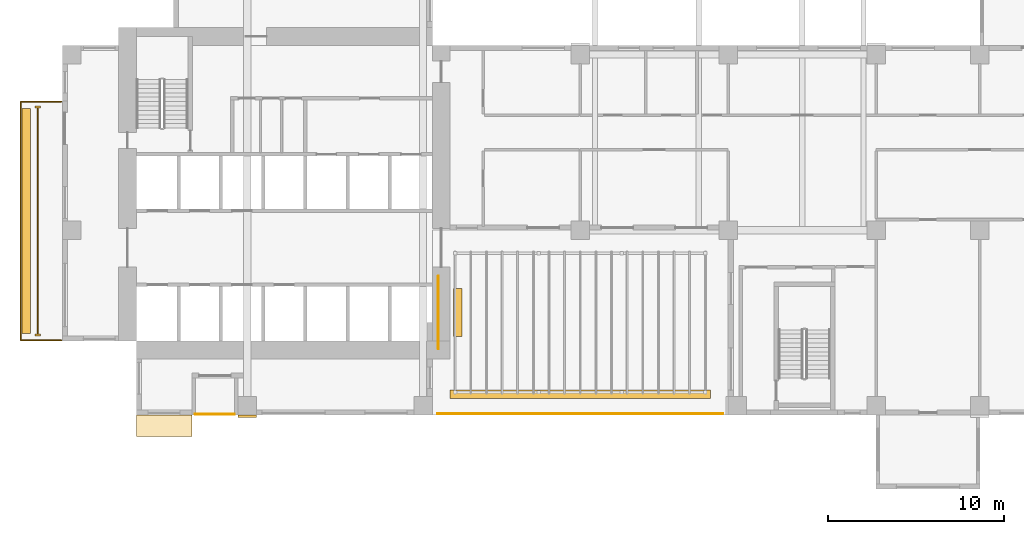
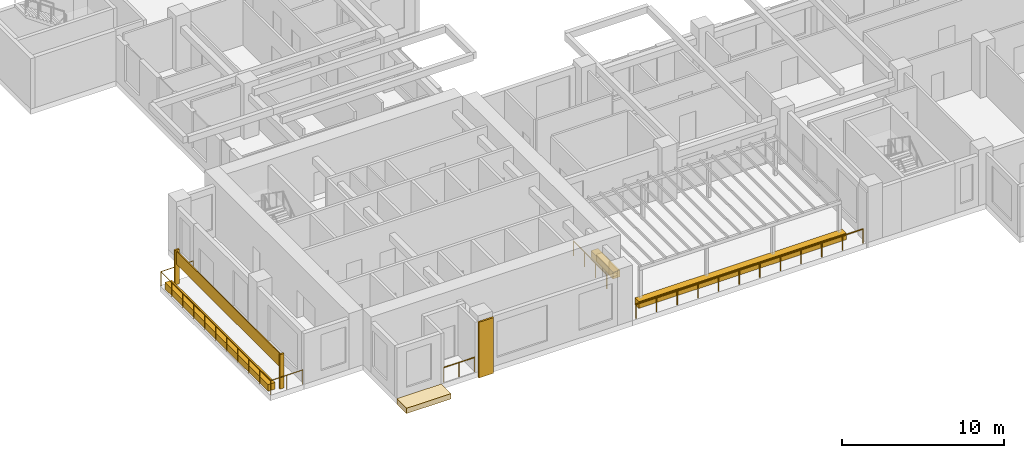
# One storey, part 11 of 15: 8 coverings, 4 railings.
"""IFC4 building model written with IfcOpenShell, lengths in metres."""

from ifc_helpers import new_model, si_unit, direction, frame, origin, origin_2d, place, context, subcontext, project, spatial, polyline, rectangle, circle, outline, extrude, source, transform, mapped, material, type_object, element, save


model = new_model("IFC4")

# Units and contexts
model_context = context("Model", 3, precision=1e-05, world=origin(), true_north=direction((0.0, 1.0)))
body_context = subcontext(model_context, "Body", "Model", "MODEL_VIEW")
ifc_project = project(units=[si_unit("LENGTHUNIT", "METRE"), si_unit("AREAUNIT", "SQUARE_METRE"), si_unit("VOLUMEUNIT", "CUBIC_METRE"), si_unit("PLANEANGLEUNIT", "RADIAN"), si_unit("MASSUNIT", "GRAM", prefix="KILO")], contexts=[model_context])

# Site, building, storey
site_placement = place(None, origin())
site = spatial("IfcSite", under=ifc_project, at=site_placement, CompositionType="ELEMENT")
building_placement = place(site_placement, origin())
building = spatial("IfcBuilding", under=site, at=building_placement, Name="Aurelian Terraces", CompositionType="ELEMENT")
storey_placement = place(building_placement, frame((0.0, 0.0, 145.5)))
storey = spatial("IfcBuildingStorey", under=building, at=storey_placement, Name="L32", CompositionType="ELEMENT", Elevation=145.5)

# Coverings
ifc_material_1 = material(Name="Terracotta rainscreen cladding relief", Category="masonry")
covering_type_1 = type_object("IfcCoveringType", Name="FIN-TC", PredefinedType="CLADDING", material=ifc_material_1)
shared_shape_1 = source(origin(), body_context, "Body", "SweptSolid", [
    extrude(rectangle(XDim=0.3, YDim=0.12, at=origin_2d()), origin(), (0.0, 0.0, 1.0), 2.6),
])
for number, where, z_axis, x_axis, name in (
    (1, (-1.4, 17.5, 0.0), (0.0, 0.0, 1.0), (1.0, 0.0, 0.0), "FIN L32 L32-F24-41.1"),
    (2, (-1.4, 4.55, 0.0), (0.0, 0.0, 1.0), (1.0, 0.0, 0.0), "FIN L32 L32-F24-41.2"),
):
    element("IfcCovering", number, at=place(storey_placement, frame(where, z_axis=z_axis, x_axis=x_axis)), inside=storey, type_object=covering_type_1, Name=name, PredefinedType="CLADDING", context=body_context, shape_type="MappedRepresentation", body=[
        mapped(shared_shape_1, transform((0.0, 0.0, 0.0), scale=1.0)),
    ])

# Railing
ifc_material_2 = material(Name="Anodised aluminium", Category="aluminium")
railing_type = type_object("IfcRailingType", Name="GUARD-1100", PredefinedType="GUARDRAIL", material=ifc_material_2)
shared_shape_2 = source(origin(), body_context, "Body", "SweptSolid", [
    extrude(circle(Radius=0.024, at=origin_2d()), frame((0.0, 0.0, 1.076), z_axis=(-1.0, 0.0, 0.0), x_axis=(0.0, -1.0, 0.0)), (0.0, 0.0, 1.0), 16.2),
    extrude(circle(Radius=0.021, at=origin_2d()), origin(), (0.0, 0.0, 1.0), 1.052),
    extrude(circle(Radius=0.021, at=origin_2d()), frame((-1.4727, 0.0, 0.0)), (0.0, 0.0, 1.0), 1.052),
    extrude(circle(Radius=0.021, at=origin_2d()), frame((-2.9455, 0.0, 0.0)), (0.0, 0.0, 1.0), 1.052),
    extrude(circle(Radius=0.021, at=origin_2d()), frame((-4.4182, 0.0, 0.0)), (0.0, 0.0, 1.0), 1.052),
    extrude(circle(Radius=0.021, at=origin_2d()), frame((-5.8909, 0.0, 0.0)), (0.0, 0.0, 1.0), 1.052),
    extrude(circle(Radius=0.021, at=origin_2d()), frame((-7.3636, 0.0, 0.0)), (0.0, 0.0, 1.0), 1.052),
    extrude(circle(Radius=0.021, at=origin_2d()), frame((-8.8364, 0.0, 0.0)), (0.0, 0.0, 1.0), 1.052),
    extrude(circle(Radius=0.021, at=origin_2d()), frame((-10.3091, 0.0, 0.0)), (0.0, 0.0, 1.0), 1.052),
    extrude(circle(Radius=0.021, at=origin_2d()), frame((-11.7818, 0.0, 0.0)), (0.0, 0.0, 1.0), 1.052),
    extrude(circle(Radius=0.021, at=origin_2d()), frame((-13.2545, 0.0, 0.0)), (0.0, 0.0, 1.0), 1.052),
    extrude(circle(Radius=0.021, at=origin_2d()), frame((-14.7273, 0.0, 0.0)), (0.0, 0.0, 1.0), 1.052),
    extrude(circle(Radius=0.021, at=origin_2d()), frame((-16.2, 0.0, 0.0)), (0.0, 0.0, 1.0), 1.052),
])
railing_1_placement = place(storey_placement, frame((37.5, 0.09, 0.0)))
element("IfcRailing", 3, at=railing_1_placement, inside=storey, type_object=railing_type, Name="Terrace guard L32 SKY-05-T1.1", PredefinedType="GUARDRAIL", context=body_context, shape_type="MappedRepresentation", body=[
    mapped(shared_shape_2, transform((0.0, 0.0, 0.0), scale=1.0)),
])

# Covering
ifc_material_3 = material(Name="Terracotta planter with planting soil", Category="masonry")
covering_type_2 = type_object("IfcCoveringType", Name="PLANTER-TROUGH", PredefinedType="USERDEFINED", material=ifc_material_3)
shared_shape_3 = source(origin(), body_context, "Body", "SweptSolid", [
    extrude(rectangle(XDim=14.8, YDim=0.5, at=origin_2d()), origin(), (0.0, 0.0, 1.0), 0.5),
])
covering_1_placement = place(storey_placement, frame((29.4, 1.19, 0.0), z_axis=(0.0, 0.0, 1.0), x_axis=(1.0, 0.0, 0.0)))
element("IfcCovering", 4, at=covering_1_placement, inside=storey, type_object=covering_type_2, Name="PLANTER L32 terrace SKY-05-T1-0.1", ObjectType="PLANTER", PredefinedType="USERDEFINED", context=body_context, shape_type="MappedRepresentation", body=[
    mapped(shared_shape_3, transform((0.0, 0.0, 0.0), scale=1.0)),
])

# Railing
shared_shape_4 = source(origin(), body_context, "Body", "SweptSolid", [
    extrude(circle(Radius=0.024, at=origin_2d()), frame((0.0, 0.0, 1.076), z_axis=(0.0, 1.0, 0.0), x_axis=(-1.0, 0.0, 0.0)), (0.0, 0.0, 1.0), 4.1242),
    extrude(circle(Radius=0.021, at=origin_2d()), origin(), (0.0, 0.0, 1.0), 1.052),
    extrude(circle(Radius=0.021, at=origin_2d()), frame((0.0, 1.3747, 0.0)), (0.0, 0.0, 1.0), 1.052),
    extrude(circle(Radius=0.021, at=origin_2d()), frame((0.0, 2.7495, 0.0)), (0.0, 0.0, 1.0), 1.052),
    extrude(circle(Radius=0.021, at=origin_2d()), frame((0.0, 4.1242, 0.0)), (0.0, 0.0, 1.0), 1.052),
])
railing_2_placement = place(storey_placement, frame((21.35, 3.7758, 0.0)))
element("IfcRailing", 5, at=railing_2_placement, inside=storey, type_object=railing_type, Name="Terrace guard L32 SKY-05-T1.2", PredefinedType="GUARDRAIL", context=body_context, shape_type="MappedRepresentation", body=[
    mapped(shared_shape_4, transform((0.0, 0.0, 0.0), scale=1.0)),
])

# Covering
shared_shape_5 = source(origin(), body_context, "Body", "SweptSolid", [
    extrude(rectangle(XDim=0.5, YDim=2.7242, at=origin_2d()), origin(), (0.0, 0.0, 1.0), 0.5),
])
covering_2_placement = place(storey_placement, frame((22.45, 5.8379, 0.0), z_axis=(0.0, 0.0, 1.0), x_axis=(1.0, 0.0, 0.0)))
element("IfcCovering", 6, at=covering_2_placement, inside=storey, type_object=covering_type_2, Name="PLANTER L32 terrace SKY-05-T1-1.1", ObjectType="PLANTER", PredefinedType="USERDEFINED", context=body_context, shape_type="MappedRepresentation", body=[
    mapped(shared_shape_5, transform((0.0, 0.0, 0.0), scale=1.0)),
])

# Railing
shared_shape_6 = source(origin(), body_context, "Body", "SweptSolid", [
    extrude(circle(Radius=0.024, at=origin_2d()), frame((0.0, 0.0, 1.076), z_axis=(-1.0, 0.0, 0.0), x_axis=(0.0, -1.0, 0.0)), (0.0, 0.0, 1.0), 2.3),
    extrude(circle(Radius=0.024, at=origin_2d()), frame((-2.3, 0.0, 1.076), z_axis=(0.0, -1.0, 0.0), x_axis=(1.0, 0.0, 0.0)), (0.0, 0.0, 1.0), 13.55),
    extrude(circle(Radius=0.024, at=origin_2d()), frame((-2.3, -13.55, 1.076), z_axis=(1.0, 0.0, 0.0), x_axis=(0.0, 1.0, 0.0)), (0.0, 0.0, 1.0), 2.3),
    extrude(circle(Radius=0.021, at=origin_2d()), origin(), (0.0, 0.0, 1.0), 1.052),
    extrude(circle(Radius=0.021, at=origin_2d()), frame((-1.15, 0.0, 0.0)), (0.0, 0.0, 1.0), 1.052),
    extrude(circle(Radius=0.021, at=origin_2d()), frame((-2.3, 0.0, 0.0)), (0.0, 0.0, 1.0), 1.052),
    extrude(circle(Radius=0.021, at=origin_2d()), frame((-2.3, -1.355, 0.0)), (0.0, 0.0, 1.0), 1.052),
    extrude(circle(Radius=0.021, at=origin_2d()), frame((-2.3, -2.71, 0.0)), (0.0, 0.0, 1.0), 1.052),
    extrude(circle(Radius=0.021, at=origin_2d()), frame((-2.3, -4.065, 0.0)), (0.0, 0.0, 1.0), 1.052),
    extrude(circle(Radius=0.021, at=origin_2d()), frame((-2.3, -5.42, 0.0)), (0.0, 0.0, 1.0), 1.052),
    extrude(circle(Radius=0.021, at=origin_2d()), frame((-2.3, -6.775, 0.0)), (0.0, 0.0, 1.0), 1.052),
    extrude(circle(Radius=0.021, at=origin_2d()), frame((-2.3, -8.13, 0.0)), (0.0, 0.0, 1.0), 1.052),
    extrude(circle(Radius=0.021, at=origin_2d()), frame((-2.3, -9.485, 0.0)), (0.0, 0.0, 1.0), 1.052),
    extrude(circle(Radius=0.021, at=origin_2d()), frame((-2.3, -10.84, 0.0)), (0.0, 0.0, 1.0), 1.052),
    extrude(circle(Radius=0.021, at=origin_2d()), frame((-2.3, -12.195, 0.0)), (0.0, 0.0, 1.0), 1.052),
    extrude(circle(Radius=0.021, at=origin_2d()), frame((-2.3, -13.55, 0.0)), (0.0, 0.0, 1.0), 1.052),
    extrude(circle(Radius=0.021, at=origin_2d()), frame((-1.15, -13.55, 0.0)), (0.0, 0.0, 1.0), 1.052),
    extrude(circle(Radius=0.021, at=origin_2d()), frame((0.0, -13.55, 0.0)), (0.0, 0.0, 1.0), 1.052),
])
railing_3_placement = place(storey_placement, frame((-0.05, 17.8, 0.0)))
element("IfcRailing", 7, at=railing_3_placement, inside=storey, type_object=railing_type, Name="Balcony guard L32 F24.41", PredefinedType="GUARDRAIL", context=body_context, shape_type="MappedRepresentation", body=[
    mapped(shared_shape_6, transform((0.0, 0.0, 0.0), scale=1.0)),
])

# Coverings
shared_shape_7 = source(origin(), body_context, "Body", "SweptSolid", [
    extrude(rectangle(XDim=0.5, YDim=12.75, at=origin_2d()), origin(), (0.0, 0.0, 1.0), 0.5),
])
covering_3_placement = place(storey_placement, frame((-2.05, 11.025, 0.0), z_axis=(0.0, 0.0, 1.0), x_axis=(1.0, 0.0, 0.0)))
element("IfcCovering", 8, at=covering_3_placement, inside=storey, type_object=covering_type_2, Name="PLANTER L32 L32-F24-41", ObjectType="PLANTER", PredefinedType="USERDEFINED", context=body_context, shape_type="MappedRepresentation", body=[
    mapped(shared_shape_7, transform((0.0, 0.0, 0.0), scale=1.0)),
])
ifc_material_4 = material(Name="Terracotta rainscreen cladding", Category="masonry")
covering_type_3 = type_object("IfcCoveringType", Name="SCREEN-TC", PredefinedType="CLADDING", material=ifc_material_4)
shared_shape_8 = source(origin(), body_context, "Body", "SweptSolid", [
    extrude(rectangle(XDim=0.06, YDim=12.83, at=origin_2d()), origin(), (0.0, 0.0, 1.0), 1.0),
])
covering_4_placement = place(storey_placement, frame((-1.4, 11.025, 1.5), z_axis=(0.0, 0.0, 1.0), x_axis=(1.0, 0.0, 0.0)))
element("IfcCovering", 9, at=covering_4_placement, inside=storey, type_object=covering_type_3, Name="SCREEN L32 L32-F24-41", PredefinedType="CLADDING", context=body_context, shape_type="MappedRepresentation", body=[
    mapped(shared_shape_8, transform((0.0, 0.0, 0.0), scale=1.0)),
])
ifc_material_5 = material(Name="Terracotta roof tiles on membrane", Category="masonry")
covering_type_4 = type_object("IfcCoveringType", Name="Bay roof cover", PredefinedType="ROOFING", material=ifc_material_5)
shared_shape_9 = source(origin(), body_context, "Body", "SweptSolid", [
    extrude(outline(polyline([(4.2, 0.0), (7.35, 0.0), (7.35, -1.2), (4.2, -1.2), (4.2, 0.0)])), origin(), (0.0, 0.0, 1.0), 0.4),
])
covering_5_placement = place(storey_placement, frame((0.0, 0.0, -0.4)))
element("IfcCovering", 10, at=covering_5_placement, inside=storey, type_object=covering_type_4, Name="Bay roof L32 4.20_-1.20_7.35_0.00", PredefinedType="ROOFING", context=body_context, shape_type="MappedRepresentation", body=[
    mapped(shared_shape_9, transform((0.0, 0.0, 0.0), scale=1.0)),
])
covering_type_5 = type_object("IfcCoveringType", Name="BAGUETTE-TC", PredefinedType="CLADDING", material=ifc_material_1)
shared_shape_10 = source(origin(), body_context, "Body", "SweptSolid", [
    extrude(rectangle(XDim=1.05, YDim=0.12, at=origin_2d()), origin(), (0.0, 0.0, 1.0), 4.2),
])
covering_6_placement = place(storey_placement, frame((10.5, -0.06, -0.4), z_axis=(0.0, 0.0, 1.0), x_axis=(1.0, 0.0, 0.0)))
element("IfcCovering", 11, at=covering_6_placement, inside=storey, type_object=covering_type_5, Name="BAGUETTE pier L32 1", PredefinedType="CLADDING", context=body_context, shape_type="MappedRepresentation", body=[
    mapped(shared_shape_10, transform((0.0, 0.0, 0.0), scale=1.0)),
])

# Railing
shared_shape_11 = source(origin(), body_context, "Body", "SweptSolid", [
    extrude(circle(Radius=0.024, at=origin_2d()), frame((0.0, 0.0, 1.076), z_axis=(1.0, 0.0, 0.0), x_axis=(0.0, 1.0, 0.0)), (0.0, 0.0, 1.0), 2.225),
    extrude(circle(Radius=0.021, at=origin_2d()), origin(), (0.0, 0.0, 1.0), 1.052),
    extrude(circle(Radius=0.021, at=origin_2d()), frame((1.1125, 0.0, 0.0)), (0.0, 0.0, 1.0), 1.052),
    extrude(circle(Radius=0.021, at=origin_2d()), frame((2.225, 0.0, 0.0)), (0.0, 0.0, 1.0), 1.052),
])
railing_4_placement = place(storey_placement, frame((7.55, 0.06, 0.05)))
element("IfcRailing", 12, at=railing_4_placement, inside=storey, type_object=railing_type, Name="Loggia guard L32 F01.2", PredefinedType="GUARDRAIL", context=body_context, shape_type="MappedRepresentation", body=[
    mapped(shared_shape_11, transform((0.0, 0.0, 0.0), scale=1.0)),
])

save(model, "model.ifc")
